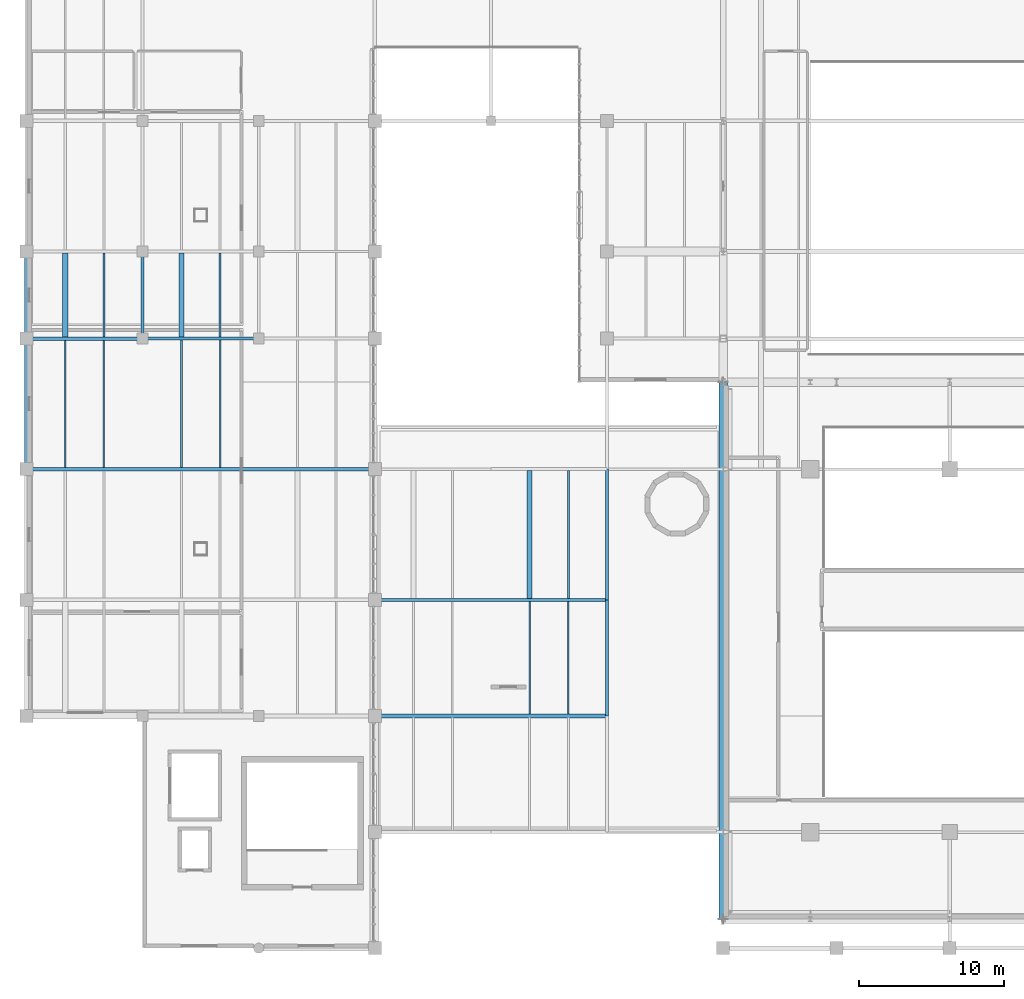
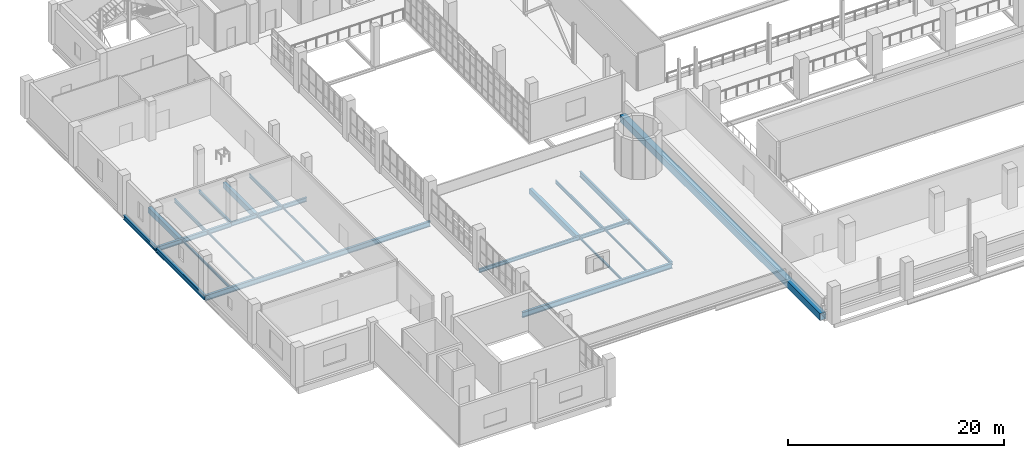
# One storey, part 17 of 85: 23 beams.
"""IFC4 building model written with IfcOpenShell, lengths in metres."""

from ifc_helpers import new_model, si_unit, derived_unit, direction, frame, origin, origin_2d, place, context, subcontext, project, spatial, rectangle, hollow_rectangle, i_section, extrude, material, material_profile, profile_set, type_object, element, save


model = new_model("IFC4")

# Units and contexts
model_context = context("Model", 3, precision=1e-05, world=origin(), true_north=direction((0.0, 1.0)))
body_context = subcontext(model_context, "Body", "Model", "MODEL_VIEW")
ifc_project = project(units=[si_unit("LENGTHUNIT", "METRE"), si_unit("AREAUNIT", "SQUARE_METRE"), si_unit("VOLUMEUNIT", "CUBIC_METRE"), si_unit("PLANEANGLEUNIT", "RADIAN"), si_unit("MASSUNIT", "GRAM", prefix="KILO"), derived_unit("THERMALTRANSMITTANCEUNIT", [(si_unit("POWERUNIT", "WATT"), 1), (si_unit("LENGTHUNIT", "METRE"), -2), (si_unit("THERMODYNAMICTEMPERATUREUNIT", "KELVIN"), -1)])], contexts=[model_context])

# Site, building, storey
site_placement = place(None, origin())
site = spatial("IfcSite", under=ifc_project, at=site_placement, CompositionType="ELEMENT")
building_placement = place(site_placement, origin())
building = spatial("IfcBuilding", under=site, at=building_placement, Name="Nallur Shell Playhouse", CompositionType="ELEMENT")
storey_placement = place(building_placement, frame((0.0, 0.0, 19.800048828125)))
storey = spatial("IfcBuildingStorey", under=building, at=storey_placement, Name="L05", CompositionType="ELEMENT", Elevation=19.800048828125)

# Beams
ifc_material_1 = material(Name="Steel E250", Category="steel")
ifc_material_profile_1 = material_profile(ifc_material_1, i_section(OverallWidth=0.110107421875, OverallDepth=0.22509765625, WebThickness=0.006591796875, FlangeThickness=0.01171875, FilletRadius=0.011962890625, at=origin_2d()), Name="ISMB 225")
ifc_profile_set_1 = profile_set([ifc_material_profile_1], Name="Steel E250")
beam_type_1 = type_object("IfcBeamType", Name="BM-JST-ISMB225", PredefinedType="JOIST", material=ifc_profile_set_1)
beam_1_placement = place(storey_placement, frame((21.333251953125, 41.123046875, -0.362548828125), z_axis=(0.0, 1.0, 0.0), x_axis=(-1.0, 0.0, 0.0)))
element("IfcBeam", 1, at=beam_1_placement, inside=storey, type_object=beam_type_1, Name="L05 secondary joist 2-E-1055", PredefinedType="JOIST", context=body_context, shape_type="SweptSolid", body=[
    extrude(i_section(OverallWidth=0.110107421875, OverallDepth=0.22509765625, WebThickness=0.006591796875, FlangeThickness=0.01171875, FilletRadius=0.011962890625, at=origin_2d()), origin(), (0.0, 0.0, 1.0), 8.75390625),
])
beam_2_placement = place(storey_placement, frame((29.333251953125, 41.123046875, -0.362548828125), z_axis=(0.0, 1.0, 0.0), x_axis=(-1.0, 0.0, 0.0)))
element("IfcBeam", 2, at=beam_2_placement, inside=storey, type_object=beam_type_1, Name="L05 secondary joist 3-E-1067", PredefinedType="JOIST", context=body_context, shape_type="SweptSolid", body=[
    extrude(i_section(OverallWidth=0.110107421875, OverallDepth=0.22509765625, WebThickness=0.006591796875, FlangeThickness=0.01171875, FilletRadius=0.011962890625, at=origin_2d()), origin(), (0.0, 0.0, 1.0), 8.779052734375),
])
beam_3_placement = place(storey_placement, frame((53.333251953125, 24.123046875, -0.362548828125), z_axis=(0.0, 1.0, 0.0), x_axis=(-1.0, 0.0, 0.0)))
element("IfcBeam", 3, at=beam_3_placement, inside=storey, type_object=beam_type_1, Name="L05 secondary joist 6-C-1091", PredefinedType="JOIST", context=body_context, shape_type="SweptSolid", body=[
    extrude(i_section(OverallWidth=0.110107421875, OverallDepth=0.22509765625, WebThickness=0.006591796875, FlangeThickness=0.01171875, FilletRadius=0.011962890625, at=origin_2d()), origin(), (0.0, 0.0, 1.0), 7.779052734375),
])
ifc_material_profile_2 = material_profile(ifc_material_1, i_section(OverallWidth=0.125, OverallDepth=0.25, WebThickness=0.0068359375, FlangeThickness=0.012451171875, FilletRadius=0.012939453125, at=origin_2d()), Name="ISMB 250")
ifc_profile_set_2 = profile_set([ifc_material_profile_2], Name="Steel E250")
beam_type_2 = type_object("IfcBeamType", Name="BM-JST-ISMB250", PredefinedType="JOIST", material=ifc_profile_set_2)
beam_4_placement = place(storey_placement, frame((18.666748046875, 41.123046875, -0.375), z_axis=(0.0, 1.0, 0.0), x_axis=(-1.0, 0.0, 0.0)))
element("IfcBeam", 4, at=beam_4_placement, inside=storey, type_object=beam_type_2, Name="L05 secondary joist 2-E-1054", PredefinedType="JOIST", context=body_context, shape_type="SweptSolid", body=[
    extrude(i_section(OverallWidth=0.125, OverallDepth=0.25, WebThickness=0.0068359375, FlangeThickness=0.012451171875, FilletRadius=0.012939453125, at=origin_2d()), origin(), (0.0, 0.0, 1.0), 8.75390625),
])
beam_5_placement = place(storey_placement, frame((26.666748046875, 41.123046875, -0.375), z_axis=(0.0, 1.0, 0.0), x_axis=(-1.0, 0.0, 0.0)))
element("IfcBeam", 5, at=beam_5_placement, inside=storey, type_object=beam_type_2, Name="L05 secondary joist 3-E-1066", PredefinedType="JOIST", context=body_context, shape_type="SweptSolid", body=[
    extrude(i_section(OverallWidth=0.125, OverallDepth=0.25, WebThickness=0.0068359375, FlangeThickness=0.012451171875, FilletRadius=0.012939453125, at=origin_2d()), origin(), (0.0, 0.0, 1.0), 8.779052734375),
])
beam_6_placement = place(storey_placement, frame((50.666748046875, 24.123046875, -0.375), z_axis=(0.0, 1.0, 0.0), x_axis=(-1.0, 0.0, 0.0)))
element("IfcBeam", 6, at=beam_6_placement, inside=storey, type_object=beam_type_2, Name="L05 secondary joist 6-C-1090", PredefinedType="JOIST", context=body_context, shape_type="SweptSolid", body=[
    extrude(i_section(OverallWidth=0.125, OverallDepth=0.25, WebThickness=0.0068359375, FlangeThickness=0.012451171875, FilletRadius=0.012939453125, at=origin_2d()), origin(), (0.0, 0.0, 1.0), 7.779052734375),
])
ifc_material_profile_3 = material_profile(ifc_material_1, i_section(OverallWidth=0.139892578125, OverallDepth=0.39990234375, WebThickness=0.0087890625, FlangeThickness=0.01611328125, FilletRadius=0.013916015625, at=origin_2d()), Name="ISMB 400")
ifc_profile_set_3 = profile_set([ifc_material_profile_3], Name="Steel E250")
beam_type_3 = type_object("IfcBeamType", Name="BM-JST-ISMB400", PredefinedType="JOIST", material=ifc_profile_set_3)
beam_7_placement = place(storey_placement, frame((21.333251953125, 50.123046875, -0.449951171875), z_axis=(0.0, 1.0, 0.0), x_axis=(-1.0, 0.0, 0.0)))
element("IfcBeam", 7, at=beam_7_placement, inside=storey, type_object=beam_type_3, Name="L05 secondary joist 2-F-1057", PredefinedType="JOIST", context=body_context, shape_type="SweptSolid", body=[
    extrude(i_section(OverallWidth=0.139892578125, OverallDepth=0.39990234375, WebThickness=0.0087890625, FlangeThickness=0.01611328125, FilletRadius=0.013916015625, at=origin_2d()), origin(), (0.0, 0.0, 1.0), 5.783935546875),
])
beam_8_placement = place(storey_placement, frame((29.333251953125, 50.097900390625, -0.449951171875), z_axis=(0.0, 1.0, 0.0), x_axis=(-1.0, 0.0, 0.0)))
element("IfcBeam", 8, at=beam_8_placement, inside=storey, type_object=beam_type_3, Name="L05 secondary joist 3-F-1069", PredefinedType="JOIST", context=body_context, shape_type="SweptSolid", body=[
    extrude(i_section(OverallWidth=0.139892578125, OverallDepth=0.39990234375, WebThickness=0.0087890625, FlangeThickness=0.01611328125, FilletRadius=0.013916015625, at=origin_2d()), origin(), (0.0, 0.0, 1.0), 5.814208984375),
])
beam_9_placement = place(storey_placement, frame((53.333251953125, 32.097900390625, -0.449951171875), z_axis=(0.0, 1.0, 0.0), x_axis=(-1.0, 0.0, 0.0)))
element("IfcBeam", 9, at=beam_9_placement, inside=storey, type_object=beam_type_3, Name="L05 secondary joist 6-D-1093", PredefinedType="JOIST", context=body_context, shape_type="SweptSolid", body=[
    extrude(i_section(OverallWidth=0.139892578125, OverallDepth=0.39990234375, WebThickness=0.0087890625, FlangeThickness=0.01611328125, FilletRadius=0.013916015625, at=origin_2d()), origin(), (0.0, 0.0, 1.0), 8.799072265625),
])
ifc_material_2 = material(Name="Concrete M30", Category="concrete")
ifc_material_profile_4 = material_profile(ifc_material_2, rectangle(XDim=0.35009765625, YDim=0.60009765625, at=origin_2d()), Name="RC 350x600")
ifc_profile_set_4 = profile_set([ifc_material_profile_4], Name="Concrete M30")
beam_type_4 = type_object("IfcBeamType", Name="BM-RC-350x600", PredefinedType="JOIST", material=ifc_profile_set_4)
beam_10_placement = place(storey_placement, frame((18.666748046875, 50.123046875, -0.550048828125), z_axis=(0.0, 1.0, 0.0), x_axis=(-1.0, 0.0, 0.0)))
element("IfcBeam", 10, at=beam_10_placement, inside=storey, type_object=beam_type_4, Name="L05 secondary joist 2-F-1056", PredefinedType="JOIST", context=body_context, shape_type="SweptSolid", body=[
    extrude(rectangle(XDim=0.35009765625, YDim=0.60009765625, at=origin_2d()), origin(), (0.0, 0.0, 1.0), 5.783935546875),
])
beam_11_placement = place(storey_placement, frame((26.666748046875, 50.097900390625, -0.550048828125), z_axis=(0.0, 1.0, 0.0), x_axis=(-1.0, 0.0, 0.0)))
element("IfcBeam", 11, at=beam_11_placement, inside=storey, type_object=beam_type_4, Name="L05 secondary joist 3-F-1068", PredefinedType="JOIST", context=body_context, shape_type="SweptSolid", body=[
    extrude(rectangle(XDim=0.35009765625, YDim=0.60009765625, at=origin_2d()), origin(), (0.0, 0.0, 1.0), 5.814208984375),
])
beam_12_placement = place(storey_placement, frame((50.666748046875, 32.097900390625, -0.550048828125), z_axis=(0.0, 1.0, 0.0), x_axis=(-1.0, 0.0, 0.0)))
element("IfcBeam", 12, at=beam_12_placement, inside=storey, type_object=beam_type_4, Name="L05 secondary joist 6-D-1092", PredefinedType="JOIST", context=body_context, shape_type="SweptSolid", body=[
    extrude(rectangle(XDim=0.35009765625, YDim=0.60009765625, at=origin_2d()), origin(), (0.0, 0.0, 1.0), 8.799072265625),
])
ifc_material_3 = material(Name="Steel E350", Category="steel")
ifc_material_profile_5 = material_profile(ifc_material_3, i_section(OverallWidth=0.2099609375, OverallDepth=0.60009765625, WebThickness=0.011962890625, FlangeThickness=0.020751953125, FilletRadius=0.02001953125, at=origin_2d()), Name="ISMB 600")
ifc_profile_set_5 = profile_set([ifc_material_profile_5], Name="Steel E350")
beam_type_5 = type_object("IfcBeamType", Name="BM-ST-ISMB600", PredefinedType="BEAM", material=ifc_profile_set_5)
beam_13_placement = place(storey_placement, frame((56.0, 32.0, -0.550048828125), z_axis=(0.0, 1.0, 0.0), x_axis=(-1.0, 0.0, 0.0)))
element("IfcBeam", 13, at=beam_13_placement, inside=storey, type_object=beam_type_5, Name="L05 girder Y-7-1016", PredefinedType="BEAM", context=body_context, shape_type="SweptSolid", body=[
    extrude(i_section(OverallWidth=0.2099609375, OverallDepth=0.60009765625, WebThickness=0.011962890625, FlangeThickness=0.020751953125, FilletRadius=0.02001953125, at=origin_2d()), origin(), (0.0, 0.0, 1.0), 9.0),
])
ifc_material_profile_6 = material_profile(ifc_material_1, i_section(OverallWidth=0.199951171875, OverallDepth=0.300048828125, WebThickness=0.00732421875, FlangeThickness=0.010009765625, FilletRadius=0.010986328125, at=origin_2d()), Name="ISWB 300")
ifc_profile_set_6 = profile_set([ifc_material_profile_6], Name="Steel E250")
beam_type_6 = type_object("IfcBeamType", Name="BM-ST-ISWB300", PredefinedType="BEAM", material=ifc_profile_set_6)
beam_14_placement = place(storey_placement, frame((56.0, 24.0, -0.400146484375), z_axis=(0.0, 1.0, 0.0), x_axis=(-1.0, 0.0, 0.0)))
element("IfcBeam", 14, at=beam_14_placement, inside=storey, type_object=beam_type_6, Name="L05 girder Y-7-1015", PredefinedType="BEAM", context=body_context, shape_type="SweptSolid", body=[
    extrude(i_section(OverallWidth=0.199951171875, OverallDepth=0.300048828125, WebThickness=0.00732421875, FlangeThickness=0.010009765625, FilletRadius=0.010986328125, at=origin_2d()), origin(), (0.0, 0.0, 1.0), 8.0),
])
ifc_material_profile_7 = material_profile(ifc_material_3, i_section(OverallWidth=0.199951171875, OverallDepth=0.35009765625, WebThickness=0.008056640625, FlangeThickness=0.011474609375, FilletRadius=0.011962890625, at=origin_2d()), Name="ISWB 350")
ifc_profile_set_7 = profile_set([ifc_material_profile_7], Name="Steel E350")
beam_type_7 = type_object("IfcBeamType", Name="BM-ST-ISWB350", PredefinedType="BEAM", material=ifc_profile_set_7)
beam_15_placement = place(storey_placement, frame((24.0, 50.0, -0.425048828125), z_axis=(0.0, 1.0, 0.0), x_axis=(-1.0, 0.0, 0.0)))
element("IfcBeam", 15, at=beam_15_placement, inside=storey, type_object=beam_type_7, Name="L05 girder Y-3-998", PredefinedType="BEAM", context=body_context, shape_type="SweptSolid", body=[
    extrude(i_section(OverallWidth=0.199951171875, OverallDepth=0.35009765625, WebThickness=0.008056640625, FlangeThickness=0.011474609375, FilletRadius=0.011962890625, at=origin_2d()), origin(), (0.0, 0.0, 1.0), 6.0),
])
ifc_material_profile_8 = material_profile(ifc_material_3, i_section(OverallWidth=0.199951171875, OverallDepth=0.39990234375, WebThickness=0.008544921875, FlangeThickness=0.012939453125, FilletRadius=0.012939453125, at=origin_2d()), Name="ISWB 400")
ifc_profile_set_8 = profile_set([ifc_material_profile_8], Name="Steel E350")
beam_type_8 = type_object("IfcBeamType", Name="BM-ST-ISWB400", PredefinedType="BEAM", material=ifc_profile_set_8)
beam_16_placement = place(storey_placement, frame((40.0, 32.0, -0.449951171875), z_axis=(1.0, 0.0, 0.0), x_axis=(0.0, 1.0, 0.0)))
element("IfcBeam", 16, at=beam_16_placement, inside=storey, type_object=beam_type_8, Name="L05 girder X-D-949", PredefinedType="BEAM", context=body_context, shape_type="SweptSolid", body=[
    extrude(i_section(OverallWidth=0.199951171875, OverallDepth=0.39990234375, WebThickness=0.008544921875, FlangeThickness=0.012939453125, FilletRadius=0.012939453125, at=origin_2d()), origin(), (0.0, 0.0, 1.0), 16.0),
])
ifc_material_profile_9 = material_profile(ifc_material_3, i_section(OverallWidth=0.199951171875, OverallDepth=0.449951171875, WebThickness=0.00927734375, FlangeThickness=0.015380859375, FilletRadius=0.013916015625, at=origin_2d()), Name="ISWB 450")
ifc_profile_set_9 = profile_set([ifc_material_profile_9], Name="Steel E350")
beam_type_9 = type_object("IfcBeamType", Name="BM-ST-ISWB450", PredefinedType="BEAM", material=ifc_profile_set_9)
beam_17_placement = place(storey_placement, frame((24.0, 50.0, -0.47509765625), z_axis=(1.0, 0.0, 0.0), x_axis=(0.0, 1.0, 0.0)))
element("IfcBeam", 17, at=beam_17_placement, inside=storey, type_object=beam_type_9, Name="L05 girder X-F-964", PredefinedType="BEAM", context=body_context, shape_type="SweptSolid", body=[
    extrude(i_section(OverallWidth=0.199951171875, OverallDepth=0.449951171875, WebThickness=0.00927734375, FlangeThickness=0.015380859375, FilletRadius=0.013916015625, at=origin_2d()), origin(), (0.0, 0.0, 1.0), 8.0),
])
ifc_material_profile_10 = material_profile(ifc_material_3, i_section(OverallWidth=0.25, OverallDepth=0.5, WebThickness=0.010009765625, FlangeThickness=0.0146484375, FilletRadius=0.014892578125, at=origin_2d()), Name="ISWB 500")
ifc_profile_set_10 = profile_set([ifc_material_profile_10], Name="Steel E350")
beam_type_10 = type_object("IfcBeamType", Name="BM-ST-ISWB500", PredefinedType="BEAM", material=ifc_profile_set_10)
beam_18_placement = place(storey_placement, frame((16.0, 50.0, -0.5), z_axis=(1.0, 0.0, 0.0), x_axis=(0.0, 1.0, 0.0)))
element("IfcBeam", 18, at=beam_18_placement, inside=storey, type_object=beam_type_10, Name="L05 girder X-F-963", PredefinedType="BEAM", context=body_context, shape_type="SweptSolid", body=[
    extrude(i_section(OverallWidth=0.25, OverallDepth=0.5, WebThickness=0.010009765625, FlangeThickness=0.0146484375, FilletRadius=0.014892578125, at=origin_2d()), origin(), (0.0, 0.0, 1.0), 8.0),
])
beam_19_placement = place(storey_placement, frame((16.0, 50.0, -0.5), z_axis=(0.0, 1.0, 0.0), x_axis=(-1.0, 0.0, 0.0)))
element("IfcBeam", 19, at=beam_19_placement, inside=storey, type_object=beam_type_10, Name="L05 girder Y-2-995", PredefinedType="BEAM", context=body_context, shape_type="SweptSolid", body=[
    extrude(i_section(OverallWidth=0.25, OverallDepth=0.5, WebThickness=0.010009765625, FlangeThickness=0.0146484375, FilletRadius=0.014892578125, at=origin_2d()), origin(), (0.0, 0.0, 1.0), 6.0),
])
ifc_material_profile_11 = material_profile(ifc_material_3, i_section(OverallWidth=0.25, OverallDepth=0.550048828125, WebThickness=0.010498046875, FlangeThickness=0.017578125, FilletRadius=0.01611328125, at=origin_2d()), Name="ISWB 550")
ifc_profile_set_11 = profile_set([ifc_material_profile_11], Name="Steel E350")
beam_type_11 = type_object("IfcBeamType", Name="BM-ST-ISWB550", PredefinedType="BEAM", material=ifc_profile_set_11)
beam_20_placement = place(storey_placement, frame((16.0, 41.0, -0.525146484375), z_axis=(0.0, 1.0, 0.0), x_axis=(-1.0, 0.0, 0.0)))
element("IfcBeam", 20, at=beam_20_placement, inside=storey, type_object=beam_type_11, Name="L05 girder Y-2-994", PredefinedType="BEAM", context=body_context, shape_type="SweptSolid", body=[
    extrude(i_section(OverallWidth=0.25, OverallDepth=0.550048828125, WebThickness=0.010498046875, FlangeThickness=0.017578125, FilletRadius=0.01611328125, at=origin_2d()), origin(), (0.0, 0.0, 1.0), 9.0),
])
ifc_material_profile_12 = material_profile(ifc_material_3, i_section(OverallWidth=0.25, OverallDepth=0.60009765625, WebThickness=0.01171875, FlangeThickness=0.023681640625, FilletRadius=0.01708984375, at=origin_2d()), Name="ISWB 600")
ifc_profile_set_12 = profile_set([ifc_material_profile_12], Name="Steel E350")
beam_type_12 = type_object("IfcBeamType", Name="BM-ST-ISWB600", PredefinedType="BEAM", material=ifc_profile_set_12)
beam_21_placement = place(storey_placement, frame((40.0, 24.0, -0.550048828125), z_axis=(1.0, 0.0, 0.0), x_axis=(0.0, 1.0, 0.0)))
element("IfcBeam", 21, at=beam_21_placement, inside=storey, type_object=beam_type_12, Name="L05 girder X-C-945", PredefinedType="BEAM", context=body_context, shape_type="SweptSolid", body=[
    extrude(i_section(OverallWidth=0.25, OverallDepth=0.60009765625, WebThickness=0.01171875, FlangeThickness=0.023681640625, FilletRadius=0.01708984375, at=origin_2d()), origin(), (0.0, 0.0, 1.0), 16.0),
])
beam_22_placement = place(storey_placement, frame((16.0, 41.0, -0.550048828125), z_axis=(1.0, 0.0, 0.0), x_axis=(0.0, 1.0, 0.0)))
element("IfcBeam", 22, at=beam_22_placement, inside=storey, type_object=beam_type_12, Name="L05 long-span hall girder Y=41.0-1046", PredefinedType="BEAM", context=body_context, shape_type="SweptSolid", body=[
    extrude(i_section(OverallWidth=0.25, OverallDepth=0.60009765625, WebThickness=0.01171875, FlangeThickness=0.023681640625, FilletRadius=0.01708984375, at=origin_2d()), origin(), (0.0, 0.0, 1.0), 24.0),
])
ifc_material_profile_13 = material_profile(ifc_material_3, hollow_rectangle(XDim=0.60009765625, YDim=0.800048828125, WallThickness=0.02490234375, at=origin_2d()), Name="BOX 600x800x25")
ifc_profile_set_13 = profile_set([ifc_material_profile_13], Name="Steel E350")
beam_type_13 = type_object("IfcBeamType", Name="BM-TT-CHORD", PredefinedType="BEAM", material=ifc_profile_set_13)
beam_23_placement = place(storey_placement, frame((64.0, 10.0, -0.650146484375), z_axis=(0.0, 1.0, 0.0), x_axis=(-1.0, 0.0, 0.0)))
element("IfcBeam", 23, at=beam_23_placement, inside=storey, type_object=beam_type_13, Name="Gold box perimeter chord L05-W1", PredefinedType="BEAM", context=body_context, shape_type="SweptSolid", body=[
    extrude(hollow_rectangle(XDim=0.60009765625, YDim=0.800048828125, WallThickness=0.02490234375, at=origin_2d()), origin(), (0.0, 0.0, 1.0), 37.0),
])

save(model, "model.ifc")
